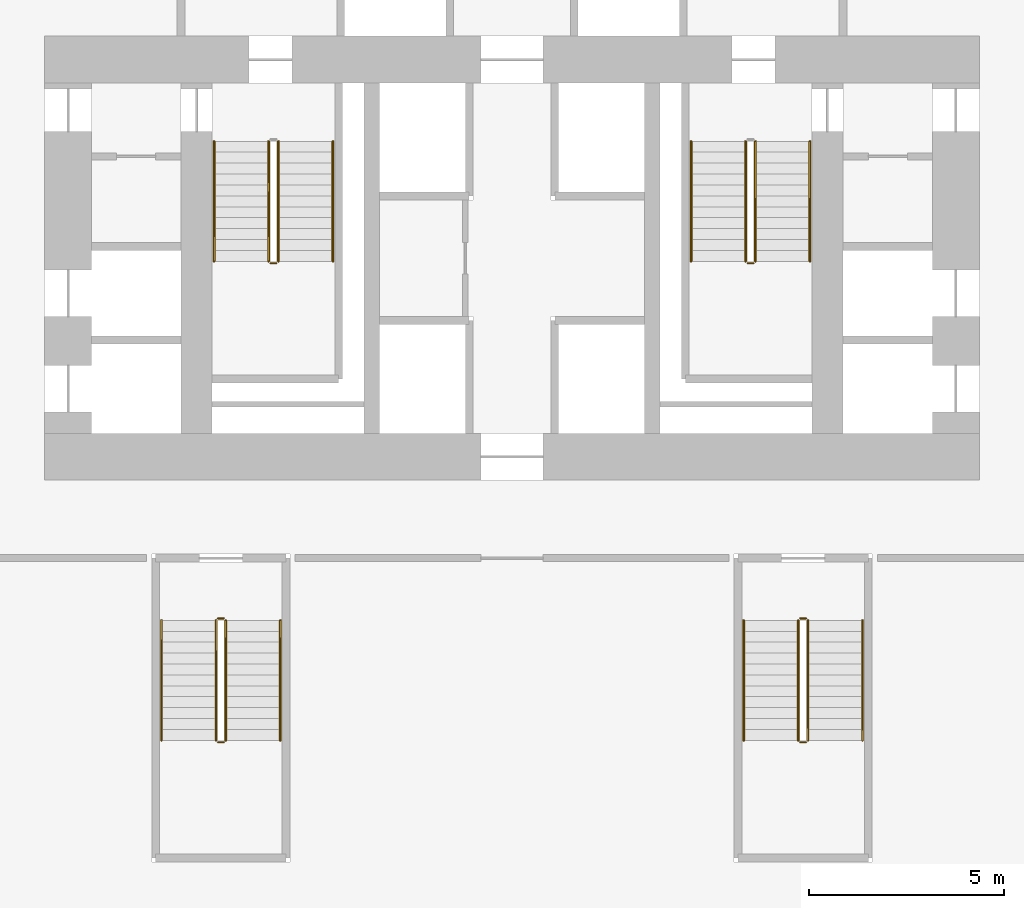
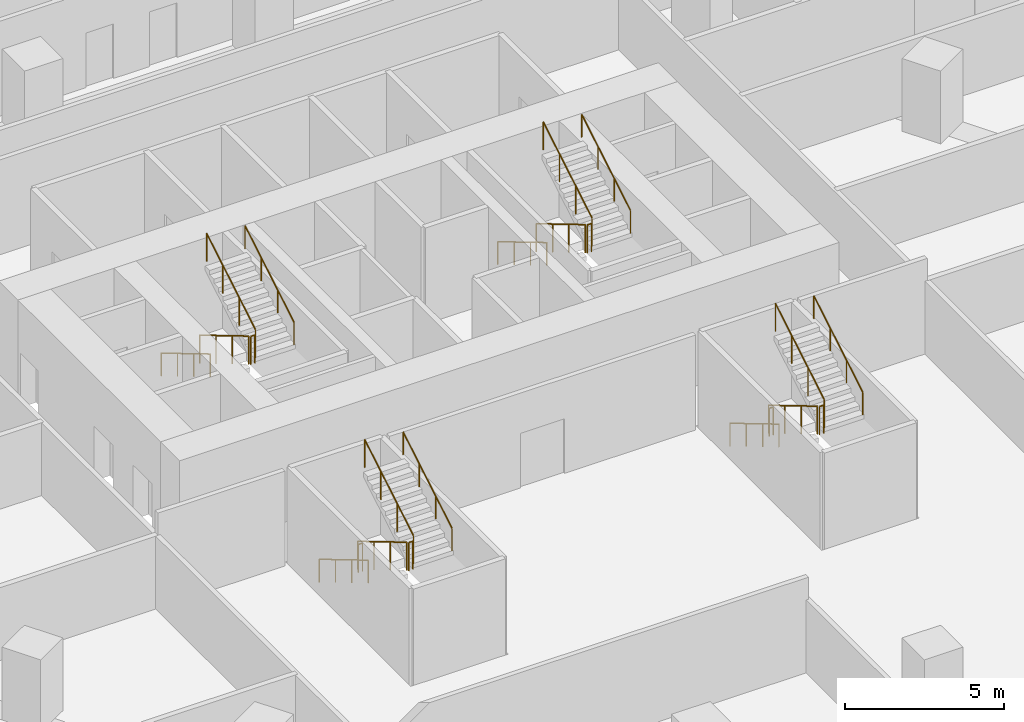
# One storey, part 21 of 24: 22 railings.
"""IFC4 building model written with IfcOpenShell, lengths in metres."""

from ifc_helpers import new_model, si_unit, direction, frame, origin, origin_2d, place, context, subcontext, project, spatial, circle, extrude, material, type_object, element, save


model = new_model("IFC4")

# Units and contexts
model_context = context("Model", 3, precision=1e-05, world=origin(), true_north=direction((0.0, 1.0)))
body_context = subcontext(model_context, "Body", "Model", "MODEL_VIEW")
ifc_project = project(units=[si_unit("LENGTHUNIT", "METRE"), si_unit("AREAUNIT", "SQUARE_METRE"), si_unit("VOLUMEUNIT", "CUBIC_METRE"), si_unit("PLANEANGLEUNIT", "RADIAN"), si_unit("MASSUNIT", "GRAM", prefix="KILO")], contexts=[model_context])

# Site, building, storey
site_placement = place(None, origin())
site = spatial("IfcSite", under=ifc_project, at=site_placement, CompositionType="ELEMENT")
building_placement = place(site_placement, origin())
building = spatial("IfcBuilding", under=site, at=building_placement, Name="Ostrander Bayou Hotel Tower", CompositionType="ELEMENT")
storey_placement = place(building_placement, frame((0.0, 0.0, 6.0)))
storey = spatial("IfcBuildingStorey", under=building, at=storey_placement, Name="L01", CompositionType="ELEMENT", Elevation=6.0)

# Railings
ifc_material_1 = material(Name="Steel ASTM A500 Gr C", Category="steel")
railing_type_1 = type_object("IfcRailingType", Name="GR1 stair guard 1100 mm steel", PredefinedType="GUARDRAIL", material=ifc_material_1)
railing_1_placement = place(storey_placement, frame((-6.25, 7.0, 0.166748046875)))
element("IfcRailing", 1, at=railing_1_placement, inside=storey, type_object=railing_type_1, Name="L01 STA stair guard 1", PredefinedType="GUARDRAIL", context=body_context, shape_type="SweptSolid", body=[
    extrude(circle(Radius=0.02392578125, at=origin_2d()), frame((0.0, 0.0, 1.076171875), z_axis=(0.0, -0.859308565015, 0.511457515432), x_axis=(1.0, 0.0, 0.0)), (0.0, 0.0, 1.0), 3.58447265625),
    extrude(circle(Radius=0.02099609375, at=origin_2d()), origin(), (0.0, 0.0, 1.0), 1.052001953125),
    extrude(circle(Radius=0.02099609375, at=origin_2d()), frame((0.0, -1.026611328125, 0.611083984375)), (0.0, 0.0, 1.0), 1.052001953125),
    extrude(circle(Radius=0.02099609375, at=origin_2d()), frame((0.0, -2.053466796875, 1.22216796875)), (0.0, 0.0, 1.0), 1.052001953125),
    extrude(circle(Radius=0.02099609375, at=origin_2d()), frame((0.0, -3.080078125, 1.833251953125)), (0.0, 0.0, 1.0), 1.052001953125),
])
railing_2_placement = place(storey_placement, frame((-6.199951171875, 3.8701171875, 2.0)))
element("IfcRailing", 2, at=railing_2_placement, inside=storey, type_object=railing_type_1, Name="L01 STA stair guard 2", PredefinedType="GUARDRAIL", context=body_context, shape_type="SweptSolid", body=[
    extrude(circle(Radius=0.02392578125, at=origin_2d()), frame((0.0, 0.0, 1.076171875), z_axis=(1.0, 0.0, 0.0), x_axis=(0.0, 1.0, 0.0)), (0.0, 0.0, 1.0), 0.14990234375),
    extrude(circle(Radius=0.02099609375, at=origin_2d()), origin(), (0.0, 0.0, 1.0), 1.052001953125),
    extrude(circle(Radius=0.02099609375, at=origin_2d()), frame((0.14990234375, 0.0, 0.0)), (0.0, 0.0, 1.0), 1.052001953125),
])
railing_3_placement = place(storey_placement, frame((-6.0, 3.919921875, 2.166748046875)))
element("IfcRailing", 3, at=railing_3_placement, inside=storey, type_object=railing_type_1, Name="L01 STA stair guard 3", PredefinedType="GUARDRAIL", context=body_context, shape_type="SweptSolid", body=[
    extrude(circle(Radius=0.02392578125, at=origin_2d()), frame((0.0, 0.0, 1.076171875), z_axis=(0.0, 0.859308565015, 0.511457515432), x_axis=(-1.0, 0.0, 0.0)), (0.0, 0.0, 1.0), 3.58447265625),
    extrude(circle(Radius=0.02099609375, at=origin_2d()), origin(), (0.0, 0.0, 1.0), 1.052001953125),
    extrude(circle(Radius=0.02099609375, at=origin_2d()), frame((0.0, 1.026611328125, 0.611083984375)), (0.0, 0.0, 1.0), 1.052001953125),
    extrude(circle(Radius=0.02099609375, at=origin_2d()), frame((0.0, 2.053466796875, 1.22216796875)), (0.0, 0.0, 1.0), 1.052001953125),
    extrude(circle(Radius=0.02099609375, at=origin_2d()), frame((0.0, 3.080078125, 1.833251953125)), (0.0, 0.0, 1.0), 1.052001953125),
])
railing_4_placement = place(storey_placement, frame((6.0, 7.0, 0.166748046875)))
element("IfcRailing", 4, at=railing_4_placement, inside=storey, type_object=railing_type_1, Name="L01 STB stair guard 1", PredefinedType="GUARDRAIL", context=body_context, shape_type="SweptSolid", body=[
    extrude(circle(Radius=0.02392578125, at=origin_2d()), frame((0.0, 0.0, 1.076171875), z_axis=(0.0, -0.859308565015, 0.511457515432), x_axis=(1.0, 0.0, 0.0)), (0.0, 0.0, 1.0), 3.58447265625),
    extrude(circle(Radius=0.02099609375, at=origin_2d()), origin(), (0.0, 0.0, 1.0), 1.052001953125),
    extrude(circle(Radius=0.02099609375, at=origin_2d()), frame((0.0, -1.026611328125, 0.611083984375)), (0.0, 0.0, 1.0), 1.052001953125),
    extrude(circle(Radius=0.02099609375, at=origin_2d()), frame((0.0, -2.053466796875, 1.22216796875)), (0.0, 0.0, 1.0), 1.052001953125),
    extrude(circle(Radius=0.02099609375, at=origin_2d()), frame((0.0, -3.080078125, 1.833251953125)), (0.0, 0.0, 1.0), 1.052001953125),
])
railing_5_placement = place(storey_placement, frame((6.050048828125, 3.8701171875, 2.0)))
element("IfcRailing", 5, at=railing_5_placement, inside=storey, type_object=railing_type_1, Name="L01 STB stair guard 2", PredefinedType="GUARDRAIL", context=body_context, shape_type="SweptSolid", body=[
    extrude(circle(Radius=0.02392578125, at=origin_2d()), frame((0.0, 0.0, 1.076171875), z_axis=(1.0, 0.0, 0.0), x_axis=(0.0, 1.0, 0.0)), (0.0, 0.0, 1.0), 0.14990234375),
    extrude(circle(Radius=0.02099609375, at=origin_2d()), origin(), (0.0, 0.0, 1.0), 1.052001953125),
    extrude(circle(Radius=0.02099609375, at=origin_2d()), frame((0.14990234375, 0.0, 0.0)), (0.0, 0.0, 1.0), 1.052001953125),
])
railing_6_placement = place(storey_placement, frame((6.25, 3.919921875, 2.166748046875)))
element("IfcRailing", 6, at=railing_6_placement, inside=storey, type_object=railing_type_1, Name="L01 STB stair guard 3", PredefinedType="GUARDRAIL", context=body_context, shape_type="SweptSolid", body=[
    extrude(circle(Radius=0.02392578125, at=origin_2d()), frame((0.0, 0.0, 1.076171875), z_axis=(0.0, 0.859308565015, 0.511457515432), x_axis=(-1.0, 0.0, 0.0)), (0.0, 0.0, 1.0), 3.58447265625),
    extrude(circle(Radius=0.02099609375, at=origin_2d()), origin(), (0.0, 0.0, 1.0), 1.052001953125),
    extrude(circle(Radius=0.02099609375, at=origin_2d()), frame((0.0, 1.026611328125, 0.611083984375)), (0.0, 0.0, 1.0), 1.052001953125),
    extrude(circle(Radius=0.02099609375, at=origin_2d()), frame((0.0, 2.053466796875, 1.22216796875)), (0.0, 0.0, 1.0), 1.052001953125),
    extrude(circle(Radius=0.02099609375, at=origin_2d()), frame((0.0, 3.080078125, 1.833251953125)), (0.0, 0.0, 1.0), 1.052001953125),
])
railing_7_placement = place(storey_placement, frame((7.35009765625, -5.300048828125, 0.166748046875)))
element("IfcRailing", 7, at=railing_7_placement, inside=storey, type_object=railing_type_1, Name="L01 STC stair guard 1", PredefinedType="GUARDRAIL", context=body_context, shape_type="SweptSolid", body=[
    extrude(circle(Radius=0.02392578125, at=origin_2d()), frame((0.0, 0.0, 1.076171875), z_axis=(0.0, -0.859290745958, 0.51148745235), x_axis=(1.0, 0.0, 0.0)), (0.0, 0.0, 1.0), 3.584228515625),
    extrude(circle(Radius=0.02099609375, at=origin_2d()), origin(), (0.0, 0.0, 1.0), 1.052001953125),
    extrude(circle(Radius=0.02099609375, at=origin_2d()), frame((0.0, -1.026611328125, 0.611083984375)), (0.0, 0.0, 1.0), 1.052001953125),
    extrude(circle(Radius=0.02099609375, at=origin_2d()), frame((0.0, -2.05322265625, 1.22216796875)), (0.0, 0.0, 1.0), 1.052001953125),
    extrude(circle(Radius=0.02099609375, at=origin_2d()), frame((0.0, -3.079833984375, 1.833251953125)), (0.0, 0.0, 1.0), 1.052001953125),
])
railing_8_placement = place(storey_placement, frame((7.39990234375, -8.429931640625, 2.0)))
element("IfcRailing", 8, at=railing_8_placement, inside=storey, type_object=railing_type_1, Name="L01 STC stair guard 2", PredefinedType="GUARDRAIL", context=body_context, shape_type="SweptSolid", body=[
    extrude(circle(Radius=0.02392578125, at=origin_2d()), frame((0.0, 0.0, 1.076171875), z_axis=(1.0, 0.0, 0.0), x_axis=(0.0, 1.0, 0.0)), (0.0, 0.0, 1.0), 0.150146484375),
    extrude(circle(Radius=0.02099609375, at=origin_2d()), origin(), (0.0, 0.0, 1.0), 1.052001953125),
    extrude(circle(Radius=0.02099609375, at=origin_2d()), frame((0.150146484375, 0.0, 0.0)), (0.0, 0.0, 1.0), 1.052001953125),
])
railing_9_placement = place(storey_placement, frame((7.60009765625, -8.3798828125, 2.166748046875)))
element("IfcRailing", 9, at=railing_9_placement, inside=storey, type_object=railing_type_1, Name="L01 STC stair guard 3", PredefinedType="GUARDRAIL", context=body_context, shape_type="SweptSolid", body=[
    extrude(circle(Radius=0.02392578125, at=origin_2d()), frame((0.0, 0.0, 1.076171875), z_axis=(0.0, 0.859290745958, 0.51148745235), x_axis=(-1.0, 0.0, 0.0)), (0.0, 0.0, 1.0), 3.584228515625),
    extrude(circle(Radius=0.02099609375, at=origin_2d()), origin(), (0.0, 0.0, 1.0), 1.052001953125),
    extrude(circle(Radius=0.02099609375, at=origin_2d()), frame((0.0, 1.026611328125, 0.611083984375)), (0.0, 0.0, 1.0), 1.052001953125),
    extrude(circle(Radius=0.02099609375, at=origin_2d()), frame((0.0, 2.05322265625, 1.22216796875)), (0.0, 0.0, 1.0), 1.052001953125),
    extrude(circle(Radius=0.02099609375, at=origin_2d()), frame((0.0, 3.079833984375, 1.833251953125)), (0.0, 0.0, 1.0), 1.052001953125),
])
railing_10_placement = place(storey_placement, frame((7.39990234375, -5.25, 0.0)))
element("IfcRailing", 10, at=railing_10_placement, inside=storey, type_object=railing_type_1, Name="L01 STC stair guard 4", PredefinedType="GUARDRAIL", context=body_context, shape_type="SweptSolid", body=[
    extrude(circle(Radius=0.02392578125, at=origin_2d()), frame((0.0, 0.0, 1.076171875), z_axis=(1.0, 0.0, 0.0), x_axis=(0.0, 1.0, 0.0)), (0.0, 0.0, 1.0), 0.150146484375),
    extrude(circle(Radius=0.02099609375, at=origin_2d()), origin(), (0.0, 0.0, 1.0), 1.052001953125),
    extrude(circle(Radius=0.02099609375, at=origin_2d()), frame((0.150146484375, 0.0, 0.0)), (0.0, 0.0, 1.0), 1.052001953125),
])
railing_11_placement = place(storey_placement, frame((-7.60009765625, -5.300048828125, 0.166748046875)))
element("IfcRailing", 11, at=railing_11_placement, inside=storey, type_object=railing_type_1, Name="L01 STD stair guard 1", PredefinedType="GUARDRAIL", context=body_context, shape_type="SweptSolid", body=[
    extrude(circle(Radius=0.02392578125, at=origin_2d()), frame((0.0, 0.0, 1.076171875), z_axis=(0.0, -0.859290745958, 0.51148745235), x_axis=(1.0, 0.0, 0.0)), (0.0, 0.0, 1.0), 3.584228515625),
    extrude(circle(Radius=0.02099609375, at=origin_2d()), origin(), (0.0, 0.0, 1.0), 1.052001953125),
    extrude(circle(Radius=0.02099609375, at=origin_2d()), frame((0.0, -1.026611328125, 0.611083984375)), (0.0, 0.0, 1.0), 1.052001953125),
    extrude(circle(Radius=0.02099609375, at=origin_2d()), frame((0.0, -2.05322265625, 1.22216796875)), (0.0, 0.0, 1.0), 1.052001953125),
    extrude(circle(Radius=0.02099609375, at=origin_2d()), frame((0.0, -3.079833984375, 1.833251953125)), (0.0, 0.0, 1.0), 1.052001953125),
])
railing_12_placement = place(storey_placement, frame((-7.550048828125, -8.429931640625, 2.0)))
element("IfcRailing", 12, at=railing_12_placement, inside=storey, type_object=railing_type_1, Name="L01 STD stair guard 2", PredefinedType="GUARDRAIL", context=body_context, shape_type="SweptSolid", body=[
    extrude(circle(Radius=0.02392578125, at=origin_2d()), frame((0.0, 0.0, 1.076171875), z_axis=(1.0, 0.0, 0.0), x_axis=(0.0, 1.0, 0.0)), (0.0, 0.0, 1.0), 0.150146484375),
    extrude(circle(Radius=0.02099609375, at=origin_2d()), origin(), (0.0, 0.0, 1.0), 1.052001953125),
    extrude(circle(Radius=0.02099609375, at=origin_2d()), frame((0.150146484375, 0.0, 0.0)), (0.0, 0.0, 1.0), 1.052001953125),
])
railing_13_placement = place(storey_placement, frame((-7.35009765625, -8.3798828125, 2.166748046875)))
element("IfcRailing", 13, at=railing_13_placement, inside=storey, type_object=railing_type_1, Name="L01 STD stair guard 3", PredefinedType="GUARDRAIL", context=body_context, shape_type="SweptSolid", body=[
    extrude(circle(Radius=0.02392578125, at=origin_2d()), frame((0.0, 0.0, 1.076171875), z_axis=(0.0, 0.859290745958, 0.51148745235), x_axis=(-1.0, 0.0, 0.0)), (0.0, 0.0, 1.0), 3.584228515625),
    extrude(circle(Radius=0.02099609375, at=origin_2d()), origin(), (0.0, 0.0, 1.0), 1.052001953125),
    extrude(circle(Radius=0.02099609375, at=origin_2d()), frame((0.0, 1.026611328125, 0.611083984375)), (0.0, 0.0, 1.0), 1.052001953125),
    extrude(circle(Radius=0.02099609375, at=origin_2d()), frame((0.0, 2.05322265625, 1.22216796875)), (0.0, 0.0, 1.0), 1.052001953125),
    extrude(circle(Radius=0.02099609375, at=origin_2d()), frame((0.0, 3.079833984375, 1.833251953125)), (0.0, 0.0, 1.0), 1.052001953125),
])
railing_14_placement = place(storey_placement, frame((-7.550048828125, -5.25, 0.0)))
element("IfcRailing", 14, at=railing_14_placement, inside=storey, type_object=railing_type_1, Name="L01 STD stair guard 4", PredefinedType="GUARDRAIL", context=body_context, shape_type="SweptSolid", body=[
    extrude(circle(Radius=0.02392578125, at=origin_2d()), frame((0.0, 0.0, 1.076171875), z_axis=(1.0, 0.0, 0.0), x_axis=(0.0, 1.0, 0.0)), (0.0, 0.0, 1.0), 0.150146484375),
    extrude(circle(Radius=0.02099609375, at=origin_2d()), origin(), (0.0, 0.0, 1.0), 1.052001953125),
    extrude(circle(Radius=0.02099609375, at=origin_2d()), frame((0.150146484375, 0.0, 0.0)), (0.0, 0.0, 1.0), 1.052001953125),
])
ifc_material_2 = material(Name="Steel ASTM A500 Gr C", Category="steel")
railing_type_2 = type_object("IfcRailingType", Name="HR1 stair handrail 900 mm steel", PredefinedType="HANDRAIL", material=ifc_material_2)
railing_15_placement = place(storey_placement, frame((-7.64990234375, 7.0, 0.166748046875)))
element("IfcRailing", 15, at=railing_15_placement, inside=storey, type_object=railing_type_2, Name="L01 STA stair handrail 1", PredefinedType="HANDRAIL", context=body_context, shape_type="SweptSolid", body=[
    extrude(circle(Radius=0.02392578125, at=origin_2d()), frame((0.0, 0.0, 0.8759765625), z_axis=(0.0, -0.859308565015, 0.511457515432), x_axis=(1.0, 0.0, 0.0)), (0.0, 0.0, 1.0), 3.58447265625),
    extrude(circle(Radius=0.02099609375, at=origin_2d()), origin(), (0.0, 0.0, 1.0), 0.851806640625),
    extrude(circle(Radius=0.02099609375, at=origin_2d()), frame((0.0, -1.026611328125, 0.611083984375)), (0.0, 0.0, 1.0), 0.851806640625),
    extrude(circle(Radius=0.02099609375, at=origin_2d()), frame((0.0, -2.053466796875, 1.22216796875)), (0.0, 0.0, 1.0), 0.851806640625),
    extrude(circle(Radius=0.02099609375, at=origin_2d()), frame((0.0, -3.080078125, 1.833251953125)), (0.0, 0.0, 1.0), 0.851806640625),
])
railing_16_placement = place(storey_placement, frame((-4.60009765625, 3.919921875, 2.166748046875)))
element("IfcRailing", 16, at=railing_16_placement, inside=storey, type_object=railing_type_2, Name="L01 STA stair handrail 2", PredefinedType="HANDRAIL", context=body_context, shape_type="SweptSolid", body=[
    extrude(circle(Radius=0.02392578125, at=origin_2d()), frame((0.0, 0.0, 0.8759765625), z_axis=(0.0, 0.859308565015, 0.511457515432), x_axis=(-1.0, 0.0, 0.0)), (0.0, 0.0, 1.0), 3.58447265625),
    extrude(circle(Radius=0.02099609375, at=origin_2d()), origin(), (0.0, 0.0, 1.0), 0.851806640625),
    extrude(circle(Radius=0.02099609375, at=origin_2d()), frame((0.0, 1.026611328125, 0.611083984375)), (0.0, 0.0, 1.0), 0.851806640625),
    extrude(circle(Radius=0.02099609375, at=origin_2d()), frame((0.0, 2.053466796875, 1.22216796875)), (0.0, 0.0, 1.0), 0.851806640625),
    extrude(circle(Radius=0.02099609375, at=origin_2d()), frame((0.0, 3.080078125, 1.833251953125)), (0.0, 0.0, 1.0), 0.851806640625),
])
railing_17_placement = place(storey_placement, frame((4.60009765625, 7.0, 0.166748046875)))
element("IfcRailing", 17, at=railing_17_placement, inside=storey, type_object=railing_type_2, Name="L01 STB stair handrail 1", PredefinedType="HANDRAIL", context=body_context, shape_type="SweptSolid", body=[
    extrude(circle(Radius=0.02392578125, at=origin_2d()), frame((0.0, 0.0, 0.8759765625), z_axis=(0.0, -0.859308565015, 0.511457515432), x_axis=(1.0, 0.0, 0.0)), (0.0, 0.0, 1.0), 3.58447265625),
    extrude(circle(Radius=0.02099609375, at=origin_2d()), origin(), (0.0, 0.0, 1.0), 0.851806640625),
    extrude(circle(Radius=0.02099609375, at=origin_2d()), frame((0.0, -1.026611328125, 0.611083984375)), (0.0, 0.0, 1.0), 0.851806640625),
    extrude(circle(Radius=0.02099609375, at=origin_2d()), frame((0.0, -2.053466796875, 1.22216796875)), (0.0, 0.0, 1.0), 0.851806640625),
    extrude(circle(Radius=0.02099609375, at=origin_2d()), frame((0.0, -3.080078125, 1.833251953125)), (0.0, 0.0, 1.0), 0.851806640625),
])
railing_18_placement = place(storey_placement, frame((7.64990234375, 3.919921875, 2.166748046875)))
element("IfcRailing", 18, at=railing_18_placement, inside=storey, type_object=railing_type_2, Name="L01 STB stair handrail 2", PredefinedType="HANDRAIL", context=body_context, shape_type="SweptSolid", body=[
    extrude(circle(Radius=0.02392578125, at=origin_2d()), frame((0.0, 0.0, 0.8759765625), z_axis=(0.0, 0.859308565015, 0.511457515432), x_axis=(-1.0, 0.0, 0.0)), (0.0, 0.0, 1.0), 3.58447265625),
    extrude(circle(Radius=0.02099609375, at=origin_2d()), origin(), (0.0, 0.0, 1.0), 0.851806640625),
    extrude(circle(Radius=0.02099609375, at=origin_2d()), frame((0.0, 1.026611328125, 0.611083984375)), (0.0, 0.0, 1.0), 0.851806640625),
    extrude(circle(Radius=0.02099609375, at=origin_2d()), frame((0.0, 2.053466796875, 1.22216796875)), (0.0, 0.0, 1.0), 0.851806640625),
    extrude(circle(Radius=0.02099609375, at=origin_2d()), frame((0.0, 3.080078125, 1.833251953125)), (0.0, 0.0, 1.0), 0.851806640625),
])
railing_19_placement = place(storey_placement, frame((5.949951171875, -5.300048828125, 0.166748046875)))
element("IfcRailing", 19, at=railing_19_placement, inside=storey, type_object=railing_type_2, Name="L01 STC stair handrail 1", PredefinedType="HANDRAIL", context=body_context, shape_type="SweptSolid", body=[
    extrude(circle(Radius=0.02392578125, at=origin_2d()), frame((0.0, 0.0, 0.8759765625), z_axis=(0.0, -0.859290745958, 0.51148745235), x_axis=(1.0, 0.0, 0.0)), (0.0, 0.0, 1.0), 3.584228515625),
    extrude(circle(Radius=0.02099609375, at=origin_2d()), origin(), (0.0, 0.0, 1.0), 0.851806640625),
    extrude(circle(Radius=0.02099609375, at=origin_2d()), frame((0.0, -1.026611328125, 0.611083984375)), (0.0, 0.0, 1.0), 0.851806640625),
    extrude(circle(Radius=0.02099609375, at=origin_2d()), frame((0.0, -2.05322265625, 1.22216796875)), (0.0, 0.0, 1.0), 0.851806640625),
    extrude(circle(Radius=0.02099609375, at=origin_2d()), frame((0.0, -3.079833984375, 1.833251953125)), (0.0, 0.0, 1.0), 0.851806640625),
])
railing_20_placement = place(storey_placement, frame((9.0, -8.3798828125, 2.166748046875)))
element("IfcRailing", 20, at=railing_20_placement, inside=storey, type_object=railing_type_2, Name="L01 STC stair handrail 2", PredefinedType="HANDRAIL", context=body_context, shape_type="SweptSolid", body=[
    extrude(circle(Radius=0.02392578125, at=origin_2d()), frame((0.0, 0.0, 0.8759765625), z_axis=(0.0, 0.859290745958, 0.51148745235), x_axis=(-1.0, 0.0, 0.0)), (0.0, 0.0, 1.0), 3.584228515625),
    extrude(circle(Radius=0.02099609375, at=origin_2d()), origin(), (0.0, 0.0, 1.0), 0.851806640625),
    extrude(circle(Radius=0.02099609375, at=origin_2d()), frame((0.0, 1.026611328125, 0.611083984375)), (0.0, 0.0, 1.0), 0.851806640625),
    extrude(circle(Radius=0.02099609375, at=origin_2d()), frame((0.0, 2.05322265625, 1.22216796875)), (0.0, 0.0, 1.0), 0.851806640625),
    extrude(circle(Radius=0.02099609375, at=origin_2d()), frame((0.0, 3.079833984375, 1.833251953125)), (0.0, 0.0, 1.0), 0.851806640625),
])
railing_21_placement = place(storey_placement, frame((-9.0, -5.300048828125, 0.166748046875)))
element("IfcRailing", 21, at=railing_21_placement, inside=storey, type_object=railing_type_2, Name="L01 STD stair handrail 1", PredefinedType="HANDRAIL", context=body_context, shape_type="SweptSolid", body=[
    extrude(circle(Radius=0.02392578125, at=origin_2d()), frame((0.0, 0.0, 0.8759765625), z_axis=(0.0, -0.859290745958, 0.51148745235), x_axis=(1.0, 0.0, 0.0)), (0.0, 0.0, 1.0), 3.584228515625),
    extrude(circle(Radius=0.02099609375, at=origin_2d()), origin(), (0.0, 0.0, 1.0), 0.851806640625),
    extrude(circle(Radius=0.02099609375, at=origin_2d()), frame((0.0, -1.026611328125, 0.611083984375)), (0.0, 0.0, 1.0), 0.851806640625),
    extrude(circle(Radius=0.02099609375, at=origin_2d()), frame((0.0, -2.05322265625, 1.22216796875)), (0.0, 0.0, 1.0), 0.851806640625),
    extrude(circle(Radius=0.02099609375, at=origin_2d()), frame((0.0, -3.079833984375, 1.833251953125)), (0.0, 0.0, 1.0), 0.851806640625),
])
railing_22_placement = place(storey_placement, frame((-5.949951171875, -8.3798828125, 2.166748046875)))
element("IfcRailing", 22, at=railing_22_placement, inside=storey, type_object=railing_type_2, Name="L01 STD stair handrail 2", PredefinedType="HANDRAIL", context=body_context, shape_type="SweptSolid", body=[
    extrude(circle(Radius=0.02392578125, at=origin_2d()), frame((0.0, 0.0, 0.8759765625), z_axis=(0.0, 0.859290745958, 0.51148745235), x_axis=(-1.0, 0.0, 0.0)), (0.0, 0.0, 1.0), 3.584228515625),
    extrude(circle(Radius=0.02099609375, at=origin_2d()), origin(), (0.0, 0.0, 1.0), 0.851806640625),
    extrude(circle(Radius=0.02099609375, at=origin_2d()), frame((0.0, 1.026611328125, 0.611083984375)), (0.0, 0.0, 1.0), 0.851806640625),
    extrude(circle(Radius=0.02099609375, at=origin_2d()), frame((0.0, 2.05322265625, 1.22216796875)), (0.0, 0.0, 1.0), 0.851806640625),
    extrude(circle(Radius=0.02099609375, at=origin_2d()), frame((0.0, 3.079833984375, 1.833251953125)), (0.0, 0.0, 1.0), 0.851806640625),
])

save(model, "model.ifc")
